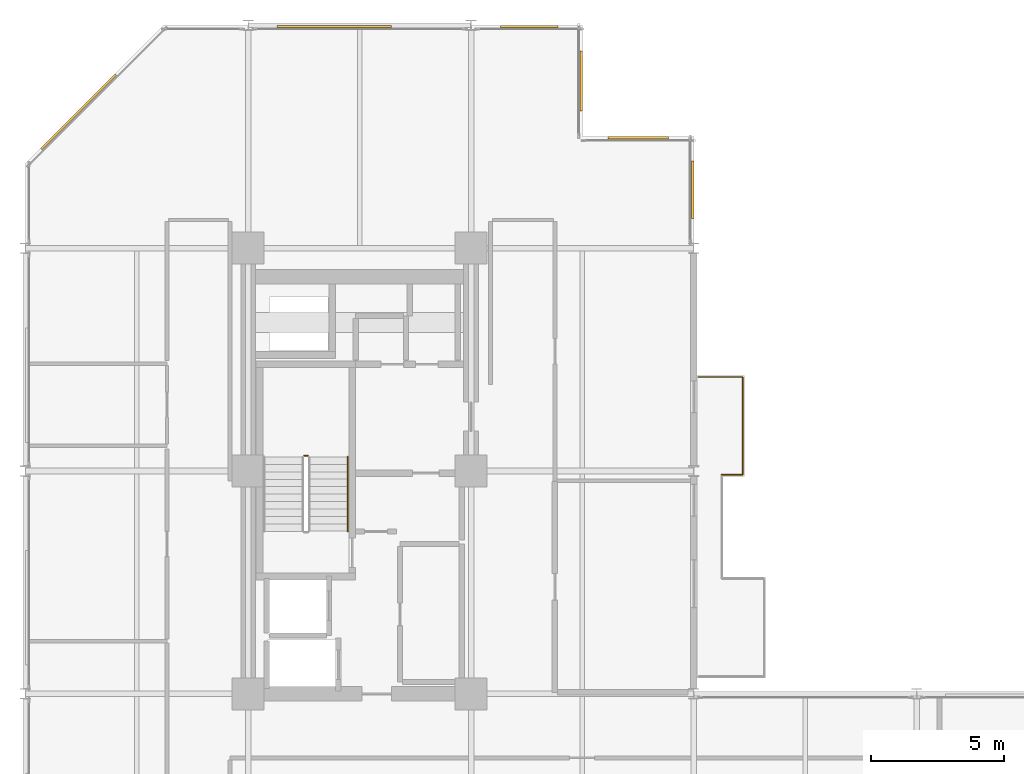
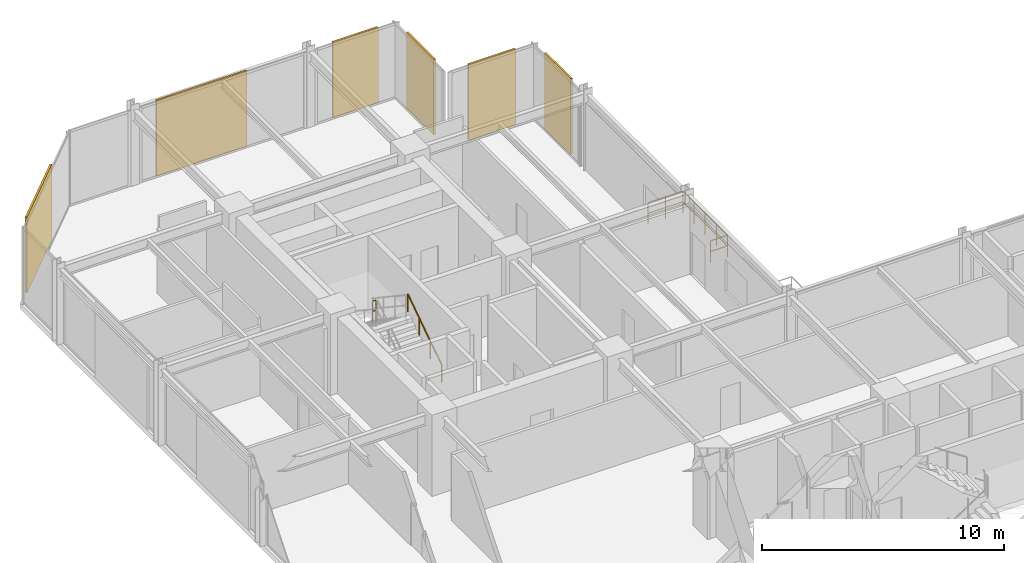
# One storey, part 29 of 29: 6 coverings, 5 railings.
"""IFC4 building model written with IfcOpenShell, lengths in metres."""

from ifc_helpers import new_model, si_unit, direction, frame, origin, origin_2d, place, context, subcontext, project, spatial, rectangle, circle, extrude, material, layer, layer_set, type_object, element, save


model = new_model("IFC4")

# Units and contexts
model_context = context("Model", 3, precision=1e-05, world=origin(), true_north=direction((0.0, 1.0)))
body_context = subcontext(model_context, "Body", "Model", "MODEL_VIEW")
ifc_project = project(units=[si_unit("LENGTHUNIT", "METRE"), si_unit("AREAUNIT", "SQUARE_METRE"), si_unit("VOLUMEUNIT", "CUBIC_METRE"), si_unit("PLANEANGLEUNIT", "RADIAN"), si_unit("MASSUNIT", "GRAM", prefix="KILO")], contexts=[model_context])

# Site, building, storey
site_placement = place(None, origin())
site = spatial("IfcSite", under=ifc_project, at=site_placement, CompositionType="ELEMENT")
building_placement = place(site_placement, origin())
building = spatial("IfcBuilding", under=site, at=building_placement, Name="Nerrivon Quay Data Exchange", CompositionType="ELEMENT")
storey_placement = place(building_placement, frame((0.0, 0.0, 133.60009765625)))
storey = spatial("IfcBuildingStorey", under=building, at=storey_placement, Name="L31", CompositionType="ELEMENT", Elevation=133.60009765625)

# Coverings
ifc_material_1 = material(Name="Architectural terracotta ceramic", Category="masonry")
ifc_layer = layer(ifc_material_1, 0.090087890625)
ifc_layer_set = layer_set([ifc_layer], Name="Architectural terracotta ceramic")
covering_type = type_object("IfcCoveringType", Name="COV-SCR-TERR", PredefinedType="CLADDING", material=ifc_layer_set)
covering_1_placement = place(storey_placement, frame((2.0078125, 47.144287109375, 0.0), z_axis=(0.0, 0.0, 1.0), x_axis=(0.707106781187, 0.707106781187, 0.0)))
element("IfcCovering", 1, at=covering_1_placement, inside=storey, type_object=covering_type, Name="L31 Perforated Terracotta SOLAR SCREEN Cassette", PredefinedType="CLADDING", context=body_context, shape_type="SweptSolid", body=[
    extrude(rectangle(XDim=3.970947265625, YDim=0.090087890625, at=origin_2d()), origin(), (0.0, 0.0, 1.0), 3.824951171875),
])
covering_2_placement = place(storey_placement, frame((11.639892578125, 50.35498046875, 0.0), z_axis=(0.0, 0.0, 1.0), x_axis=(1.0, 0.0, 0.0)))
element("IfcCovering", 2, at=covering_2_placement, inside=storey, type_object=covering_type, Name="L31 Perforated Terracotta SOLAR SCREEN Cassette", PredefinedType="CLADDING", context=body_context, shape_type="SweptSolid", body=[
    extrude(rectangle(XDim=4.320068359375, YDim=0.090087890625, at=origin_2d()), origin(), (0.0, 0.0, 1.0), 3.824951171875),
])
covering_3_placement = place(storey_placement, frame((19.0, 50.35498046875, 0.0), z_axis=(0.0, 0.0, 1.0), x_axis=(1.0, 0.0, 0.0)))
element("IfcCovering", 3, at=covering_3_placement, inside=storey, type_object=covering_type, Name="L31 Perforated Terracotta SOLAR SCREEN Cassette", PredefinedType="CLADDING", context=body_context, shape_type="SweptSolid", body=[
    extrude(rectangle(XDim=2.159912109375, YDim=0.090087890625, at=origin_2d()), origin(), (0.0, 0.0, 1.0), 3.824951171875),
])
for number, where, z_axis, x_axis, name in (
    (4, (20.955078125, 48.300048828125, 0.0), (0.0, 0.0, 1.0), (0.0, -1.0, 0.0), "L31 Perforated Terracotta SOLAR SCREEN Cassette"),
    (5, (23.10009765625, 46.155029296875, 0.0), (0.0, 0.0, 1.0), (1.0, 0.0, 0.0), "L31 Perforated Terracotta SOLAR SCREEN Cassette"),
):
    element("IfcCovering", number, at=place(storey_placement, frame(where, z_axis=z_axis, x_axis=x_axis)), inside=storey, type_object=covering_type, Name=name, PredefinedType="CLADDING", context=body_context, shape_type="SweptSolid", body=[
        extrude(rectangle(XDim=2.26806640625, YDim=0.090087890625, at=origin_2d()), origin(), (0.0, 0.0, 1.0), 3.824951171875),
    ])
covering_4_placement = place(storey_placement, frame((25.155029296875, 44.199951171875, 0.0), z_axis=(0.0, 0.0, 1.0), x_axis=(0.0, -1.0, 0.0)))
element("IfcCovering", 6, at=covering_4_placement, inside=storey, type_object=covering_type, Name="L31 Perforated Terracotta SOLAR SCREEN Cassette", PredefinedType="CLADDING", context=body_context, shape_type="SweptSolid", body=[
    extrude(rectangle(XDim=2.159912109375, YDim=0.090087890625, at=origin_2d()), origin(), (0.0, 0.0, 1.0), 3.824951171875),
])

# Railings
ifc_material_2 = material(Name="Steel Grade C350L0 (350 MPa)", Category="steel")
railing_type_1 = type_object("IfcRailingType", Name="RAIL-GUARD-GR2", PredefinedType="BALUSTRADE", material=ifc_material_2)
railing_1_placement = place(storey_placement, frame((25.3798828125, 37.139892578125, 0.0)))
element("IfcRailing", 7, at=railing_1_placement, inside=storey, type_object=railing_type_1, Name="L31 Verandah Balcony Guard 1.4 1", PredefinedType="BALUSTRADE", context=body_context, shape_type="SweptSolid", body=[
    extrude(circle(Radius=0.02392578125, at=origin_2d()), frame((0.0, 0.0, 1.09619140625), z_axis=(1.0, 0.0, 0.0), x_axis=(0.0, 1.0, 0.0)), (0.0, 0.0, 1.0), 1.66015625),
    extrude(circle(Radius=0.02392578125, at=origin_2d()), frame((0.0, 0.0, 0.56005859375), z_axis=(1.0, 0.0, 0.0), x_axis=(0.0, 1.0, 0.0)), (0.0, 0.0, 1.0), 1.66015625),
    extrude(circle(Radius=0.02099609375, at=origin_2d()), origin(), (0.0, 0.0, 1.0), 1.072021484375),
    extrude(circle(Radius=0.02099609375, at=origin_2d()), frame((0.830078125, 0.0, 0.0)), (0.0, 0.0, 1.0), 1.072021484375),
    extrude(circle(Radius=0.02099609375, at=origin_2d()), frame((1.66015625, 0.0, 0.0)), (0.0, 0.0, 1.0), 1.072021484375),
])
railing_2_placement = place(storey_placement, frame((27.0400390625, 37.139892578125, 0.0)))
element("IfcRailing", 8, at=railing_2_placement, inside=storey, type_object=railing_type_1, Name="L31 Verandah Balcony Guard 1.5 1", PredefinedType="BALUSTRADE", context=body_context, shape_type="SweptSolid", body=[
    extrude(circle(Radius=0.02392578125, at=origin_2d()), frame((0.0, 0.0, 1.09619140625), z_axis=(0.0, -1.0, 0.0), x_axis=(1.0, 0.0, 0.0)), (0.0, 0.0, 1.0), 3.679931640625),
    extrude(circle(Radius=0.02392578125, at=origin_2d()), frame((0.0, 0.0, 0.56005859375), z_axis=(0.0, -1.0, 0.0), x_axis=(1.0, 0.0, 0.0)), (0.0, 0.0, 1.0), 3.679931640625),
    extrude(circle(Radius=0.02099609375, at=origin_2d()), origin(), (0.0, 0.0, 1.0), 1.072021484375),
    extrude(circle(Radius=0.02099609375, at=origin_2d()), frame((0.0, -0.919921875, 0.0)), (0.0, 0.0, 1.0), 1.072021484375),
    extrude(circle(Radius=0.02099609375, at=origin_2d()), frame((0.0, -1.83984375, 0.0)), (0.0, 0.0, 1.0), 1.072021484375),
    extrude(circle(Radius=0.02099609375, at=origin_2d()), frame((0.0, -2.760009765625, 0.0)), (0.0, 0.0, 1.0), 1.072021484375),
    extrude(circle(Radius=0.02099609375, at=origin_2d()), frame((0.0, -3.679931640625, 0.0)), (0.0, 0.0, 1.0), 1.072021484375),
])
railing_3_placement = place(storey_placement, frame((27.0400390625, 33.4599609375, 0.0)))
element("IfcRailing", 9, at=railing_3_placement, inside=storey, type_object=railing_type_1, Name="L31 Verandah Balcony Guard 1.6 1", PredefinedType="BALUSTRADE", context=body_context, shape_type="SweptSolid", body=[
    extrude(circle(Radius=0.02392578125, at=origin_2d()), frame((0.0, 0.0, 1.09619140625), z_axis=(-1.0, 0.0, 0.0), x_axis=(0.0, -1.0, 0.0)), (0.0, 0.0, 1.0), 0.800048828125),
    extrude(circle(Radius=0.02392578125, at=origin_2d()), frame((0.0, 0.0, 0.56005859375), z_axis=(-1.0, 0.0, 0.0), x_axis=(0.0, -1.0, 0.0)), (0.0, 0.0, 1.0), 0.800048828125),
    extrude(circle(Radius=0.02099609375, at=origin_2d()), origin(), (0.0, 0.0, 1.0), 1.072021484375),
    extrude(circle(Radius=0.02099609375, at=origin_2d()), frame((-0.800048828125, 0.0, 0.0)), (0.0, 0.0, 1.0), 1.072021484375),
])
railing_type_2 = type_object("IfcRailingType", Name="RAIL-HAND-HR1", PredefinedType="HANDRAIL", material=ifc_material_2)
railing_4_placement = place(storey_placement, frame((12.14990234375, 31.330078125, 0.186279296875)))
element("IfcRailing", 10, at=railing_4_placement, inside=storey, type_object=railing_type_2, Name="L31 ST01 stair handrail 1", PredefinedType="HANDRAIL", context=body_context, shape_type="SweptSolid", body=[
    extrude(circle(Radius=0.02392578125, at=origin_2d()), frame((0.0, 0.0, 0.8759765625), z_axis=(0.0, 0.832463268671, 0.554080234545), x_axis=(-1.0, 0.0, 0.0)), (0.0, 0.0, 1.0), 3.36328125),
    extrude(circle(Radius=0.02099609375, at=origin_2d()), origin(), (0.0, 0.0, 1.0), 0.851806640625),
    extrude(circle(Radius=0.02099609375, at=origin_2d()), frame((0.0, 0.933349609375, 0.62109375)), (0.0, 0.0, 1.0), 0.851806640625),
    extrude(circle(Radius=0.02099609375, at=origin_2d()), frame((0.0, 1.866455078125, 1.242431640625)), (0.0, 0.0, 1.0), 0.851806640625),
    extrude(circle(Radius=0.02099609375, at=origin_2d()), frame((0.0, 2.7998046875, 1.863525390625)), (0.0, 0.0, 1.0), 0.851806640625),
])
railing_type_3 = type_object("IfcRailingType", Name="RAIL-STAIR-GR1", PredefinedType="BALUSTRADE", material=ifc_material_2)
railing_5_placement = place(storey_placement, frame((10.64990234375, 34.179931640625, 2.0498046875)))
element("IfcRailing", 11, at=railing_5_placement, inside=storey, type_object=railing_type_3, Name="L31 ST01 stair guard 2", PredefinedType="BALUSTRADE", context=body_context, shape_type="SweptSolid", body=[
    extrude(circle(Radius=0.02392578125, at=origin_2d()), frame((0.0, 0.0, 1.076171875), z_axis=(-1.0, 0.0, 0.0), x_axis=(0.0, -1.0, 0.0)), (0.0, 0.0, 1.0), 0.14990234375),
    extrude(circle(Radius=0.02392578125, at=origin_2d()), frame((0.0, 0.0, 0.550048828125), z_axis=(-1.0, 0.0, 0.0), x_axis=(0.0, -1.0, 0.0)), (0.0, 0.0, 1.0), 0.14990234375),
    extrude(circle(Radius=0.02099609375, at=origin_2d()), origin(), (0.0, 0.0, 1.0), 1.052001953125),
    extrude(circle(Radius=0.02099609375, at=origin_2d()), frame((-0.14990234375, 0.0, 0.0)), (0.0, 0.0, 1.0), 1.052001953125),
])

save(model, "model.ifc")
